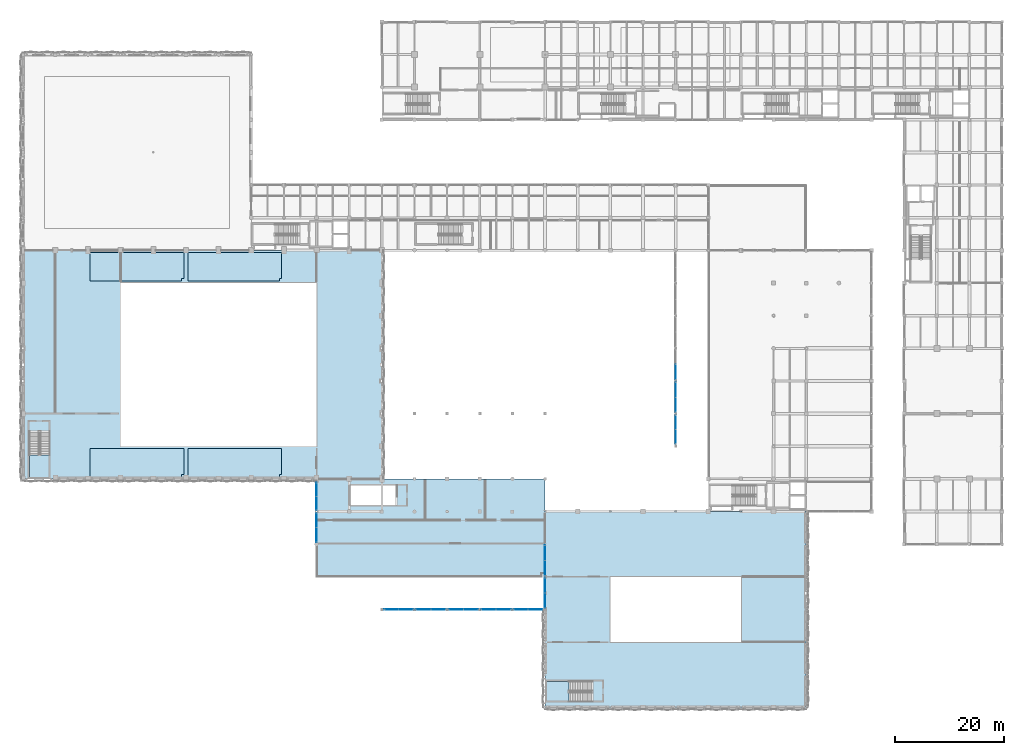
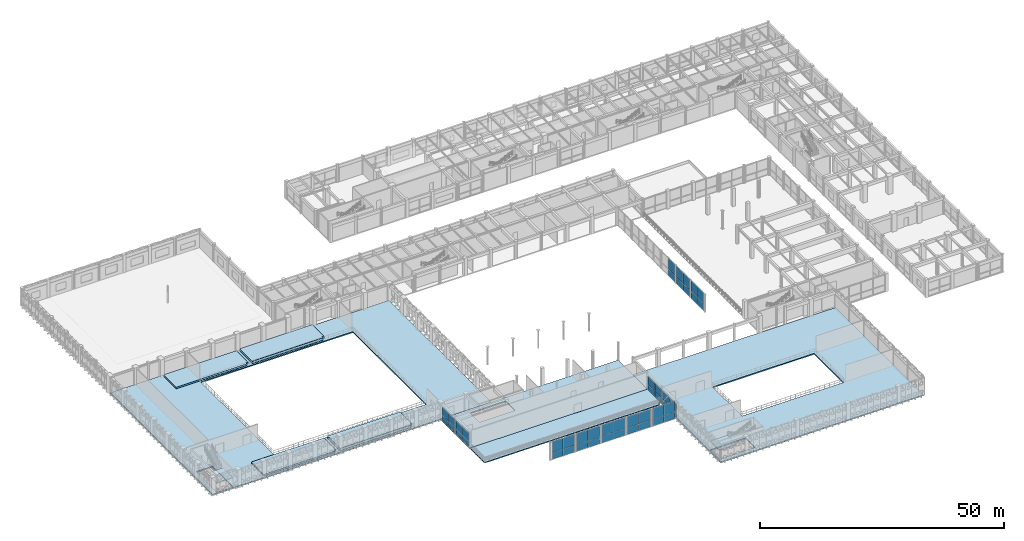
# One storey, part 77 of 116: 46 plates, 10 slabs, 14 elements without a shape of their own.
"""IFC4 building model written with IfcOpenShell, lengths in metres."""

from ifc_helpers import new_model, si_unit, direction, frame, frame_2d, origin, place, context, subcontext, project, spatial, polyline, rectangle, outline, extrude, material, layer, layer_set, type_object, element, aggregate, save


model = new_model("IFC4")

# Units and contexts
model_context = context("Model", 3, precision=1e-05, world=origin(), true_north=direction((0.0, 1.0)))
body_context = subcontext(model_context, "Body", "Model", "MODEL_VIEW")
ifc_project = project(units=[si_unit("LENGTHUNIT", "METRE"), si_unit("AREAUNIT", "SQUARE_METRE"), si_unit("VOLUMEUNIT", "CUBIC_METRE"), si_unit("PLANEANGLEUNIT", "RADIAN"), si_unit("MASSUNIT", "GRAM", prefix="KILO"), si_unit("THERMODYNAMICTEMPERATUREUNIT", "KELVIN"), si_unit("POWERUNIT", "WATT")], contexts=[model_context])

# Site, building, storey
site_placement = place(None, origin())
site = spatial("IfcSite", under=ifc_project, at=site_placement, CompositionType="ELEMENT")
building_placement = place(site_placement, origin())
building = spatial("IfcBuilding", under=site, at=building_placement, Name="Phaisarnlok Congress Hotel", CompositionType="ELEMENT")
storey_placement = place(building_placement, frame((0.0, 0.0, 10.5)))
storey = spatial("IfcBuildingStorey", under=building, at=storey_placement, Name="L02", CompositionType="ELEMENT", Elevation=10.5)

# Curtain wall, plates
ifc_material_1 = material(Name="Thermally Broken Unitised Aluminium & Low-E Glazing", Category="aluminium")
curtain_wall_type_1 = type_object("IfcCurtainWallType", Name="CW-UNIT-18", PredefinedType="NOTDEFINED", material=ifc_material_1)
curtain_wall_1_placement = place(storey_placement, origin())
curtain_wall_1 = element("IfcCurtainWall", 1, at=curtain_wall_1_placement, inside=storey, type_object=curtain_wall_type_1, Name="Unitised curtain wall CW-18 (L02)", PredefinedType="NOTDEFINED")
ifc_material_2 = material(Name="Double Low-E Insulated Glazing", Category="glass")
ifc_layer_1 = layer(ifc_material_2, 0.028076171875, Name="Double Low-E Insulated Glazing")
ifc_layer_set_1 = layer_set([ifc_layer_1], Name="Double Low-E Insulated Glazing")
plate_type_1 = type_object("IfcPlateType", Name="CWP-GLZ-28", PredefinedType="CURTAIN_PANEL", material=ifc_layer_set_1)
plate_1_placement = place(storey_placement, frame((54.0, 41.27490234375, 0.0400390625), z_axis=(0.0, 0.0, 1.0), x_axis=(0.0, -1.0, 0.0)))
plate_1 = element("IfcPlate", 2, at=plate_1_placement, type_object=plate_type_1, Name="Glazed curtain panel CWP-01", PredefinedType="CURTAIN_PANEL", context=body_context, shape_type="SweptSolid", body=[
    extrude(rectangle(XDim=2.48291015625, YDim=0.028076171875, at=frame_2d((1.241455078125, 0.0))), origin(), (0.0, 0.0, 1.0), 1.293701171875),
])
plate_2_placement = place(storey_placement, frame((54.0, 41.27490234375, 1.333740234375), z_axis=(0.0, 0.0, 1.0), x_axis=(0.0, -1.0, 0.0)))
plate_2 = element("IfcPlate", 3, at=plate_2_placement, type_object=plate_type_1, Name="Glazed curtain panel CWP-01", PredefinedType="CURTAIN_PANEL", context=body_context, shape_type="SweptSolid", body=[
    extrude(rectangle(XDim=2.48291015625, YDim=0.028076171875, at=frame_2d((1.241455078125, 0.0))), origin(), (0.0, 0.0, 1.0), 2.13623046875),
])
plate_3_placement = place(storey_placement, frame((54.0, 38.761962890625, 0.0400390625), z_axis=(0.0, 0.0, 1.0), x_axis=(0.0, -1.0, 0.0)))
plate_3 = element("IfcPlate", 4, at=plate_3_placement, type_object=plate_type_1, Name="Glazed curtain panel CWP-01", PredefinedType="CURTAIN_PANEL", context=body_context, shape_type="SweptSolid", body=[
    extrude(rectangle(XDim=2.48291015625, YDim=0.028076171875, at=frame_2d((1.241455078125, 0.0))), origin(), (0.0, 0.0, 1.0), 1.293701171875),
])
plate_4_placement = place(storey_placement, frame((54.0, 38.761962890625, 1.333740234375), z_axis=(0.0, 0.0, 1.0), x_axis=(0.0, -1.0, 0.0)))
plate_4 = element("IfcPlate", 5, at=plate_4_placement, type_object=plate_type_1, Name="Glazed curtain panel CWP-01", PredefinedType="CURTAIN_PANEL", context=body_context, shape_type="SweptSolid", body=[
    extrude(rectangle(XDim=2.48291015625, YDim=0.028076171875, at=frame_2d((1.241455078125, 0.0))), origin(), (0.0, 0.0, 1.0), 2.13623046875),
])
aggregate(curtain_wall_1, [plate_1, plate_2, plate_3, plate_4])

curtain_wall_type_2 = type_object("IfcCurtainWallType", Name="CW-UNIT-17", PredefinedType="NOTDEFINED", material=ifc_material_1)
curtain_wall_2_placement = place(storey_placement, origin())
curtain_wall_2 = element("IfcCurtainWall", 6, at=curtain_wall_2_placement, inside=storey, type_object=curtain_wall_type_2, Name="Unitised curtain wall CW-17 (L02)", PredefinedType="NOTDEFINED")
plate_5_placement = place(storey_placement, frame((54.0, 35.720947265625, 0.0400390625), z_axis=(0.0, 0.0, 1.0), x_axis=(0.0, -1.0, 0.0)))
plate_5 = element("IfcPlate", 7, at=plate_5_placement, type_object=plate_type_1, Name="Glazed curtain panel CWP-01", PredefinedType="CURTAIN_PANEL", context=body_context, shape_type="SweptSolid", body=[
    extrude(rectangle(XDim=2.657958984375, YDim=0.028076171875, at=frame_2d((1.3291015625, 0.0))), origin(), (0.0, 0.0, 1.0), 1.293701171875),
])
plate_6_placement = place(storey_placement, frame((54.0, 35.720947265625, 1.333740234375), z_axis=(0.0, 0.0, 1.0), x_axis=(0.0, -1.0, 0.0)))
plate_6 = element("IfcPlate", 8, at=plate_6_placement, type_object=plate_type_1, Name="Glazed curtain panel CWP-01", PredefinedType="CURTAIN_PANEL", context=body_context, shape_type="SweptSolid", body=[
    extrude(rectangle(XDim=2.657958984375, YDim=0.028076171875, at=frame_2d((1.3291015625, 0.0))), origin(), (0.0, 0.0, 1.0), 2.13623046875),
])
plate_7_placement = place(storey_placement, frame((54.0, 33.032958984375, 0.0400390625), z_axis=(0.0, 0.0, 1.0), x_axis=(0.0, -1.0, 0.0)))
plate_7 = element("IfcPlate", 9, at=plate_7_placement, type_object=plate_type_1, Name="Glazed curtain panel CWP-01", PredefinedType="CURTAIN_PANEL", context=body_context, shape_type="SweptSolid", body=[
    extrude(rectangle(XDim=2.657958984375, YDim=0.028076171875, at=frame_2d((1.3291015625, 0.0))), origin(), (0.0, 0.0, 1.0), 1.293701171875),
])
plate_8_placement = place(storey_placement, frame((54.0, 33.032958984375, 1.333740234375), z_axis=(0.0, 0.0, 1.0), x_axis=(0.0, -1.0, 0.0)))
plate_8 = element("IfcPlate", 10, at=plate_8_placement, type_object=plate_type_1, Name="Glazed curtain panel CWP-01", PredefinedType="CURTAIN_PANEL", context=body_context, shape_type="SweptSolid", body=[
    extrude(rectangle(XDim=2.657958984375, YDim=0.028076171875, at=frame_2d((1.3291015625, 0.0))), origin(), (0.0, 0.0, 1.0), 2.13623046875),
])
aggregate(curtain_wall_2, [plate_5, plate_6, plate_7, plate_8])

curtain_wall_type_3 = type_object("IfcCurtainWallType", Name="CW-UNIT-23", PredefinedType="NOTDEFINED", material=ifc_material_1)
curtain_wall_3_placement = place(storey_placement, origin())
curtain_wall_3 = element("IfcCurtainWall", 11, at=curtain_wall_3_placement, inside=storey, type_object=curtain_wall_type_3, Name="Unitised curtain wall CW-23 (L02)", PredefinedType="NOTDEFINED")
plate_9_placement = place(storey_placement, frame((96.0, 29.76708984375, 0.0400390625), z_axis=(0.0, 0.0, 1.0), x_axis=(0.0, -1.0, 0.0)))
plate_9 = element("IfcPlate", 12, at=plate_9_placement, type_object=plate_type_1, Name="Glazed curtain panel CWP-01", PredefinedType="CURTAIN_PANEL", context=body_context, shape_type="SweptSolid", body=[
    extrude(rectangle(XDim=2.752197265625, YDim=0.028076171875, at=frame_2d((1.3759765625, 0.0))), origin(), (0.0, 0.0, 1.0), 1.2861328125),
])
plate_10_placement = place(storey_placement, frame((96.0, 29.76708984375, 1.326171875), z_axis=(0.0, 0.0, 1.0), x_axis=(0.0, -1.0, 0.0)))
plate_10 = element("IfcPlate", 13, at=plate_10_placement, type_object=plate_type_1, Name="Glazed curtain panel CWP-01", PredefinedType="CURTAIN_PANEL", context=body_context, shape_type="SweptSolid", body=[
    extrude(rectangle(XDim=2.752197265625, YDim=0.028076171875, at=frame_2d((1.3759765625, 0.0))), origin(), (0.0, 0.0, 1.0), 2.123779296875),
])
plate_11_placement = place(storey_placement, frame((96.0, 26.985107421875, 0.0400390625), z_axis=(0.0, 0.0, 1.0), x_axis=(0.0, -1.0, 0.0)))
plate_11 = element("IfcPlate", 14, at=plate_11_placement, type_object=plate_type_1, Name="Glazed curtain panel CWP-01", PredefinedType="CURTAIN_PANEL", context=body_context, shape_type="SweptSolid", body=[
    extrude(rectangle(XDim=2.752197265625, YDim=0.028076171875, at=frame_2d((1.3759765625, 0.0))), origin(), (0.0, 0.0, 1.0), 1.2861328125),
])
plate_12_placement = place(storey_placement, frame((96.0, 26.985107421875, 1.326171875), z_axis=(0.0, 0.0, 1.0), x_axis=(0.0, -1.0, 0.0)))
plate_12 = element("IfcPlate", 15, at=plate_12_placement, type_object=plate_type_1, Name="Glazed curtain panel CWP-01", PredefinedType="CURTAIN_PANEL", context=body_context, shape_type="SweptSolid", body=[
    extrude(rectangle(XDim=2.752197265625, YDim=0.028076171875, at=frame_2d((1.3759765625, 0.0))), origin(), (0.0, 0.0, 1.0), 2.123779296875),
])
aggregate(curtain_wall_3, [plate_9, plate_10, plate_11, plate_12])

curtain_wall_4_placement = place(storey_placement, origin())
curtain_wall_4 = element("IfcCurtainWall", 16, at=curtain_wall_4_placement, inside=storey, type_object=curtain_wall_type_3, Name="Unitised curtain wall CW-23 (L02)", PredefinedType="NOTDEFINED")
plate_13_placement = place(storey_placement, frame((96.0, 23.76708984375, 0.0400390625), z_axis=(0.0, 0.0, 1.0), x_axis=(0.0, -1.0, 0.0)))
plate_13 = element("IfcPlate", 17, at=plate_13_placement, type_object=plate_type_1, Name="Glazed curtain panel CWP-01", PredefinedType="CURTAIN_PANEL", context=body_context, shape_type="SweptSolid", body=[
    extrude(rectangle(XDim=2.752197265625, YDim=0.028076171875, at=frame_2d((1.3759765625, 0.0))), origin(), (0.0, 0.0, 1.0), 1.2861328125),
])
plate_14_placement = place(storey_placement, frame((96.0, 23.76708984375, 1.326171875), z_axis=(0.0, 0.0, 1.0), x_axis=(0.0, -1.0, 0.0)))
plate_14 = element("IfcPlate", 18, at=plate_14_placement, type_object=plate_type_1, Name="Glazed curtain panel CWP-01", PredefinedType="CURTAIN_PANEL", context=body_context, shape_type="SweptSolid", body=[
    extrude(rectangle(XDim=2.752197265625, YDim=0.028076171875, at=frame_2d((1.3759765625, 0.0))), origin(), (0.0, 0.0, 1.0), 2.123779296875),
])
plate_15_placement = place(storey_placement, frame((96.0, 20.985107421875, 0.0400390625), z_axis=(0.0, 0.0, 1.0), x_axis=(0.0, -1.0, 0.0)))
plate_15 = element("IfcPlate", 19, at=plate_15_placement, type_object=plate_type_1, Name="Glazed curtain panel CWP-01", PredefinedType="CURTAIN_PANEL", context=body_context, shape_type="SweptSolid", body=[
    extrude(rectangle(XDim=2.752197265625, YDim=0.028076171875, at=frame_2d((1.3759765625, 0.0))), origin(), (0.0, 0.0, 1.0), 1.2861328125),
])
plate_16_placement = place(storey_placement, frame((96.0, 20.985107421875, 1.326171875), z_axis=(0.0, 0.0, 1.0), x_axis=(0.0, -1.0, 0.0)))
plate_16 = element("IfcPlate", 20, at=plate_16_placement, type_object=plate_type_1, Name="Glazed curtain panel CWP-01", PredefinedType="CURTAIN_PANEL", context=body_context, shape_type="SweptSolid", body=[
    extrude(rectangle(XDim=2.752197265625, YDim=0.028076171875, at=frame_2d((1.3759765625, 0.0))), origin(), (0.0, 0.0, 1.0), 2.123779296875),
])
aggregate(curtain_wall_4, [plate_13, plate_14, plate_15, plate_16])

curtain_wall_type_4 = type_object("IfcCurtainWallType", Name="CW-UNIT-41", PredefinedType="NOTDEFINED", material=ifc_material_1)
curtain_wall_5_placement = place(storey_placement, origin())
curtain_wall_5 = element("IfcCurtainWall", 21, at=curtain_wall_5_placement, inside=storey, type_object=curtain_wall_type_4, Name="Unitised curtain wall CW-41 (L02)", PredefinedType="NOTDEFINED")
ifc_material_3 = material(Name="Triple Acoustic Solar-Control Glazing", Category="glass")
ifc_layer_2 = layer(ifc_material_3, 0.035888671875, Name="Triple Acoustic Solar-Control Glazing")
ifc_layer_set_2 = layer_set([ifc_layer_2], Name="Triple Acoustic Solar-Control Glazing")
plate_type_2 = type_object("IfcPlateType", Name="CWP-GLZ-36", PredefinedType="CURTAIN_PANEL", material=ifc_layer_set_2)
plate_17_placement = place(storey_placement, frame((66.47998046875, 18.0, 0.030029296875), z_axis=(0.0, 0.0, 1.0), x_axis=(1.0, 0.0, 0.0)))
plate_17 = element("IfcPlate", 22, at=plate_17_placement, type_object=plate_type_2, Name="Glazed curtain panel CWP-02", PredefinedType="CURTAIN_PANEL", context=body_context, shape_type="SweptSolid", body=[
    extrude(rectangle(XDim=2.614990234375, YDim=0.028076171875, at=frame_2d((1.3076171875, 0.0))), origin(), (0.0, 0.0, 1.0), 1.677490234375),
])
plate_18_placement = place(storey_placement, frame((66.47998046875, 18.0, 1.70751953125), z_axis=(0.0, 0.0, 1.0), x_axis=(1.0, 0.0, 0.0)))
plate_18 = element("IfcPlate", 23, at=plate_18_placement, type_object=plate_type_2, Name="Glazed curtain panel CWP-02", PredefinedType="CURTAIN_PANEL", context=body_context, shape_type="SweptSolid", body=[
    extrude(rectangle(XDim=2.614990234375, YDim=0.028076171875, at=frame_2d((1.3076171875, 0.0))), origin(), (0.0, 0.0, 1.0), 2.762451171875),
])
plate_19_placement = place(storey_placement, frame((69.125, 18.0, 0.030029296875), z_axis=(0.0, 0.0, 1.0), x_axis=(1.0, 0.0, 0.0)))
plate_19 = element("IfcPlate", 24, at=plate_19_placement, type_object=plate_type_2, Name="Glazed curtain panel CWP-02", PredefinedType="CURTAIN_PANEL", context=body_context, shape_type="SweptSolid", body=[
    extrude(rectangle(XDim=2.614990234375, YDim=0.028076171875, at=frame_2d((1.3076171875, 0.0))), origin(), (0.0, 0.0, 1.0), 1.677490234375),
])
plate_20_placement = place(storey_placement, frame((69.125, 18.0, 1.70751953125), z_axis=(0.0, 0.0, 1.0), x_axis=(1.0, 0.0, 0.0)))
plate_20 = element("IfcPlate", 25, at=plate_20_placement, type_object=plate_type_2, Name="Glazed curtain panel CWP-02", PredefinedType="CURTAIN_PANEL", context=body_context, shape_type="SweptSolid", body=[
    extrude(rectangle(XDim=2.614990234375, YDim=0.028076171875, at=frame_2d((1.3076171875, 0.0))), origin(), (0.0, 0.0, 1.0), 2.762451171875),
])
aggregate(curtain_wall_5, [plate_17, plate_18, plate_19, plate_20])

curtain_wall_type_5 = type_object("IfcCurtainWallType", Name="CW-UNIT-44", PredefinedType="NOTDEFINED", material=ifc_material_1)
curtain_wall_6_placement = place(storey_placement, origin())
curtain_wall_6 = element("IfcCurtainWall", 26, at=curtain_wall_6_placement, inside=storey, type_object=curtain_wall_type_5, Name="Unitised curtain wall CW-44 (L02)", PredefinedType="NOTDEFINED")
plate_21_placement = place(storey_placement, frame((72.260009765625, 18.0, 0.030029296875), z_axis=(0.0, 0.0, 1.0), x_axis=(1.0, 0.0, 0.0)))
plate_21 = element("IfcPlate", 27, at=plate_21_placement, type_object=plate_type_2, Name="Glazed curtain panel CWP-02", PredefinedType="CURTAIN_PANEL", context=body_context, shape_type="SweptSolid", body=[
    extrude(rectangle(XDim=2.72509765625, YDim=0.028076171875, at=frame_2d((1.362548828125, 0.0))), origin(), (0.0, 0.0, 1.0), 1.677490234375),
])
plate_22_placement = place(storey_placement, frame((72.260009765625, 18.0, 1.70751953125), z_axis=(0.0, 0.0, 1.0), x_axis=(1.0, 0.0, 0.0)))
plate_22 = element("IfcPlate", 28, at=plate_22_placement, type_object=plate_type_2, Name="Glazed curtain panel CWP-02", PredefinedType="CURTAIN_PANEL", context=body_context, shape_type="SweptSolid", body=[
    extrude(rectangle(XDim=2.72509765625, YDim=0.028076171875, at=frame_2d((1.362548828125, 0.0))), origin(), (0.0, 0.0, 1.0), 2.762451171875),
])
plate_23_placement = place(storey_placement, frame((75.014892578125, 18.0, 0.030029296875), z_axis=(0.0, 0.0, 1.0), x_axis=(1.0, 0.0, 0.0)))
plate_23 = element("IfcPlate", 29, at=plate_23_placement, type_object=plate_type_2, Name="Glazed curtain panel CWP-02", PredefinedType="CURTAIN_PANEL", context=body_context, shape_type="SweptSolid", body=[
    extrude(rectangle(XDim=2.72509765625, YDim=0.028076171875, at=frame_2d((1.362548828125, 0.0))), origin(), (0.0, 0.0, 1.0), 1.677490234375),
])
plate_24_placement = place(storey_placement, frame((75.014892578125, 18.0, 1.70751953125), z_axis=(0.0, 0.0, 1.0), x_axis=(1.0, 0.0, 0.0)))
plate_24 = element("IfcPlate", 30, at=plate_24_placement, type_object=plate_type_2, Name="Glazed curtain panel CWP-02", PredefinedType="CURTAIN_PANEL", context=body_context, shape_type="SweptSolid", body=[
    extrude(rectangle(XDim=2.72509765625, YDim=0.028076171875, at=frame_2d((1.362548828125, 0.0))), origin(), (0.0, 0.0, 1.0), 2.762451171875),
])
aggregate(curtain_wall_6, [plate_21, plate_22, plate_23, plate_24])

curtain_wall_7_placement = place(storey_placement, origin())
curtain_wall_7 = element("IfcCurtainWall", 31, at=curtain_wall_7_placement, inside=storey, type_object=curtain_wall_type_5, Name="Unitised curtain wall CW-44 (L02)", PredefinedType="NOTDEFINED")
plate_25_placement = place(storey_placement, frame((78.260009765625, 18.0, 0.030029296875), z_axis=(0.0, 0.0, 1.0), x_axis=(1.0, 0.0, 0.0)))
plate_25 = element("IfcPlate", 32, at=plate_25_placement, type_object=plate_type_2, Name="Glazed curtain panel CWP-02", PredefinedType="CURTAIN_PANEL", context=body_context, shape_type="SweptSolid", body=[
    extrude(rectangle(XDim=2.72509765625, YDim=0.028076171875, at=frame_2d((1.362548828125, 0.0))), origin(), (0.0, 0.0, 1.0), 1.677490234375),
])
plate_26_placement = place(storey_placement, frame((78.260009765625, 18.0, 1.70751953125), z_axis=(0.0, 0.0, 1.0), x_axis=(1.0, 0.0, 0.0)))
plate_26 = element("IfcPlate", 33, at=plate_26_placement, type_object=plate_type_2, Name="Glazed curtain panel CWP-02", PredefinedType="CURTAIN_PANEL", context=body_context, shape_type="SweptSolid", body=[
    extrude(rectangle(XDim=2.72509765625, YDim=0.028076171875, at=frame_2d((1.362548828125, 0.0))), origin(), (0.0, 0.0, 1.0), 2.762451171875),
])
plate_27_placement = place(storey_placement, frame((81.014892578125, 18.0, 0.030029296875), z_axis=(0.0, 0.0, 1.0), x_axis=(1.0, 0.0, 0.0)))
plate_27 = element("IfcPlate", 34, at=plate_27_placement, type_object=plate_type_2, Name="Glazed curtain panel CWP-02", PredefinedType="CURTAIN_PANEL", context=body_context, shape_type="SweptSolid", body=[
    extrude(rectangle(XDim=2.72509765625, YDim=0.028076171875, at=frame_2d((1.362548828125, 0.0))), origin(), (0.0, 0.0, 1.0), 1.677490234375),
])
plate_28_placement = place(storey_placement, frame((81.014892578125, 18.0, 1.70751953125), z_axis=(0.0, 0.0, 1.0), x_axis=(1.0, 0.0, 0.0)))
plate_28 = element("IfcPlate", 35, at=plate_28_placement, type_object=plate_type_2, Name="Glazed curtain panel CWP-02", PredefinedType="CURTAIN_PANEL", context=body_context, shape_type="SweptSolid", body=[
    extrude(rectangle(XDim=2.72509765625, YDim=0.028076171875, at=frame_2d((1.362548828125, 0.0))), origin(), (0.0, 0.0, 1.0), 2.762451171875),
])
aggregate(curtain_wall_7, [plate_25, plate_26, plate_27, plate_28])

curtain_wall_8_placement = place(storey_placement, origin())
curtain_wall_8 = element("IfcCurtainWall", 36, at=curtain_wall_8_placement, inside=storey, type_object=curtain_wall_type_5, Name="Unitised curtain wall CW-44 (L02)", PredefinedType="NOTDEFINED")
plate_29_placement = place(storey_placement, frame((84.260009765625, 18.0, 0.030029296875), z_axis=(0.0, 0.0, 1.0), x_axis=(1.0, 0.0, 0.0)))
plate_29 = element("IfcPlate", 37, at=plate_29_placement, type_object=plate_type_2, Name="Glazed curtain panel CWP-02", PredefinedType="CURTAIN_PANEL", context=body_context, shape_type="SweptSolid", body=[
    extrude(rectangle(XDim=2.72509765625, YDim=0.028076171875, at=frame_2d((1.362548828125, 0.0))), origin(), (0.0, 0.0, 1.0), 1.677490234375),
])
plate_30_placement = place(storey_placement, frame((84.260009765625, 18.0, 1.70751953125), z_axis=(0.0, 0.0, 1.0), x_axis=(1.0, 0.0, 0.0)))
plate_30 = element("IfcPlate", 38, at=plate_30_placement, type_object=plate_type_2, Name="Glazed curtain panel CWP-02", PredefinedType="CURTAIN_PANEL", context=body_context, shape_type="SweptSolid", body=[
    extrude(rectangle(XDim=2.72509765625, YDim=0.028076171875, at=frame_2d((1.362548828125, 0.0))), origin(), (0.0, 0.0, 1.0), 2.762451171875),
])
plate_31_placement = place(storey_placement, frame((87.014892578125, 18.0, 0.030029296875), z_axis=(0.0, 0.0, 1.0), x_axis=(1.0, 0.0, 0.0)))
plate_31 = element("IfcPlate", 39, at=plate_31_placement, type_object=plate_type_2, Name="Glazed curtain panel CWP-02", PredefinedType="CURTAIN_PANEL", context=body_context, shape_type="SweptSolid", body=[
    extrude(rectangle(XDim=2.72509765625, YDim=0.028076171875, at=frame_2d((1.362548828125, 0.0))), origin(), (0.0, 0.0, 1.0), 1.677490234375),
])
plate_32_placement = place(storey_placement, frame((87.014892578125, 18.0, 1.70751953125), z_axis=(0.0, 0.0, 1.0), x_axis=(1.0, 0.0, 0.0)))
plate_32 = element("IfcPlate", 40, at=plate_32_placement, type_object=plate_type_2, Name="Glazed curtain panel CWP-02", PredefinedType="CURTAIN_PANEL", context=body_context, shape_type="SweptSolid", body=[
    extrude(rectangle(XDim=2.72509765625, YDim=0.028076171875, at=frame_2d((1.362548828125, 0.0))), origin(), (0.0, 0.0, 1.0), 2.762451171875),
])
aggregate(curtain_wall_8, [plate_29, plate_30, plate_31, plate_32])

curtain_wall_9_placement = place(storey_placement, origin())
curtain_wall_9 = element("IfcCurtainWall", 41, at=curtain_wall_9_placement, inside=storey, type_object=curtain_wall_type_4, Name="Unitised curtain wall CW-41 (L02)", PredefinedType="NOTDEFINED")
plate_33_placement = place(storey_placement, frame((90.260009765625, 18.0, 0.030029296875), z_axis=(0.0, 0.0, 1.0), x_axis=(1.0, 0.0, 0.0)))
plate_33 = element("IfcPlate", 42, at=plate_33_placement, type_object=plate_type_2, Name="Glazed curtain panel CWP-02", PredefinedType="CURTAIN_PANEL", context=body_context, shape_type="SweptSolid", body=[
    extrude(rectangle(XDim=2.60498046875, YDim=0.028076171875, at=frame_2d((1.302490234375, 0.0))), origin(), (0.0, 0.0, 1.0), 1.677490234375),
])
plate_34_placement = place(storey_placement, frame((90.260009765625, 18.0, 1.70751953125), z_axis=(0.0, 0.0, 1.0), x_axis=(1.0, 0.0, 0.0)))
plate_34 = element("IfcPlate", 43, at=plate_34_placement, type_object=plate_type_2, Name="Glazed curtain panel CWP-02", PredefinedType="CURTAIN_PANEL", context=body_context, shape_type="SweptSolid", body=[
    extrude(rectangle(XDim=2.60498046875, YDim=0.028076171875, at=frame_2d((1.302490234375, 0.0))), origin(), (0.0, 0.0, 1.0), 2.762451171875),
])
plate_35_placement = place(storey_placement, frame((92.89501953125, 18.0, 0.030029296875), z_axis=(0.0, 0.0, 1.0), x_axis=(1.0, 0.0, 0.0)))
plate_35 = element("IfcPlate", 44, at=plate_35_placement, type_object=plate_type_2, Name="Glazed curtain panel CWP-02", PredefinedType="CURTAIN_PANEL", context=body_context, shape_type="SweptSolid", body=[
    extrude(rectangle(XDim=2.60498046875, YDim=0.028076171875, at=frame_2d((1.302490234375, 0.0))), origin(), (0.0, 0.0, 1.0), 1.677490234375),
])
plate_36_placement = place(storey_placement, frame((92.89501953125, 18.0, 1.70751953125), z_axis=(0.0, 0.0, 1.0), x_axis=(1.0, 0.0, 0.0)))
plate_36 = element("IfcPlate", 45, at=plate_36_placement, type_object=plate_type_2, Name="Glazed curtain panel CWP-02", PredefinedType="CURTAIN_PANEL", context=body_context, shape_type="SweptSolid", body=[
    extrude(rectangle(XDim=2.60498046875, YDim=0.028076171875, at=frame_2d((1.302490234375, 0.0))), origin(), (0.0, 0.0, 1.0), 2.762451171875),
])
aggregate(curtain_wall_9, [plate_33, plate_34, plate_35, plate_36])

curtain_wall_10_placement = place(storey_placement, origin())
curtain_wall_10 = element("IfcCurtainWall", 46, at=curtain_wall_10_placement, inside=storey, type_object=curtain_wall_type_4, Name="Unitised curtain wall CW-41 (L02)", PredefinedType="NOTDEFINED")
plate_37_placement = place(storey_placement, frame((120.0, 53.739990234375, 0.030029296875), z_axis=(0.0, 0.0, 1.0), x_axis=(0.0, -1.0, 0.0)))
plate_37 = element("IfcPlate", 47, at=plate_37_placement, type_object=plate_type_2, Name="Glazed curtain panel CWP-02", PredefinedType="CURTAIN_PANEL", context=body_context, shape_type="SweptSolid", body=[
    extrude(rectangle(XDim=2.614990234375, YDim=0.028076171875, at=frame_2d((1.3076171875, 0.0))), origin(), (0.0, 0.0, 1.0), 1.677490234375),
])
plate_38_placement = place(storey_placement, frame((120.0, 53.739990234375, 1.70751953125), z_axis=(0.0, 0.0, 1.0), x_axis=(0.0, -1.0, 0.0)))
plate_38 = element("IfcPlate", 48, at=plate_38_placement, type_object=plate_type_2, Name="Glazed curtain panel CWP-02", PredefinedType="CURTAIN_PANEL", context=body_context, shape_type="SweptSolid", body=[
    extrude(rectangle(XDim=2.614990234375, YDim=0.028076171875, at=frame_2d((1.3076171875, 0.0))), origin(), (0.0, 0.0, 1.0), 2.762451171875),
])
plate_39_placement = place(storey_placement, frame((120.0, 51.094970703125, 0.030029296875), z_axis=(0.0, 0.0, 1.0), x_axis=(0.0, -1.0, 0.0)))
plate_39 = element("IfcPlate", 49, at=plate_39_placement, type_object=plate_type_2, Name="Glazed curtain panel CWP-02", PredefinedType="CURTAIN_PANEL", context=body_context, shape_type="SweptSolid", body=[
    extrude(rectangle(XDim=2.614990234375, YDim=0.028076171875, at=frame_2d((1.3076171875, 0.0))), origin(), (0.0, 0.0, 1.0), 1.677490234375),
])
plate_40_placement = place(storey_placement, frame((120.0, 51.094970703125, 1.70751953125), z_axis=(0.0, 0.0, 1.0), x_axis=(0.0, -1.0, 0.0)))
plate_40 = element("IfcPlate", 50, at=plate_40_placement, type_object=plate_type_2, Name="Glazed curtain panel CWP-02", PredefinedType="CURTAIN_PANEL", context=body_context, shape_type="SweptSolid", body=[
    extrude(rectangle(XDim=2.614990234375, YDim=0.028076171875, at=frame_2d((1.3076171875, 0.0))), origin(), (0.0, 0.0, 1.0), 2.762451171875),
])
aggregate(curtain_wall_10, [plate_37, plate_38, plate_39, plate_40])

curtain_wall_11_placement = place(storey_placement, origin())
curtain_wall_11 = element("IfcCurtainWall", 51, at=curtain_wall_11_placement, inside=storey, type_object=curtain_wall_type_5, Name="Unitised curtain wall CW-44 (L02)", PredefinedType="NOTDEFINED")
plate_41_placement = place(storey_placement, frame((120.0, 59.739990234375, 0.030029296875), z_axis=(0.0, 0.0, 1.0), x_axis=(0.0, -1.0, 0.0)))
plate_41 = element("IfcPlate", 52, at=plate_41_placement, type_object=plate_type_2, Name="Glazed curtain panel CWP-02", PredefinedType="CURTAIN_PANEL", context=body_context, shape_type="SweptSolid", body=[
    extrude(rectangle(XDim=2.72509765625, YDim=0.028076171875, at=frame_2d((1.362548828125, 0.0))), origin(), (0.0, 0.0, 1.0), 1.677490234375),
])
plate_42_placement = place(storey_placement, frame((120.0, 59.739990234375, 1.70751953125), z_axis=(0.0, 0.0, 1.0), x_axis=(0.0, -1.0, 0.0)))
plate_42 = element("IfcPlate", 53, at=plate_42_placement, type_object=plate_type_2, Name="Glazed curtain panel CWP-02", PredefinedType="CURTAIN_PANEL", context=body_context, shape_type="SweptSolid", body=[
    extrude(rectangle(XDim=2.72509765625, YDim=0.028076171875, at=frame_2d((1.362548828125, 0.0))), origin(), (0.0, 0.0, 1.0), 2.762451171875),
])
plate_43_placement = place(storey_placement, frame((120.0, 56.985107421875, 0.030029296875), z_axis=(0.0, 0.0, 1.0), x_axis=(0.0, -1.0, 0.0)))
plate_43 = element("IfcPlate", 54, at=plate_43_placement, type_object=plate_type_2, Name="Glazed curtain panel CWP-02", PredefinedType="CURTAIN_PANEL", context=body_context, shape_type="SweptSolid", body=[
    extrude(rectangle(XDim=2.72509765625, YDim=0.028076171875, at=frame_2d((1.362548828125, 0.0))), origin(), (0.0, 0.0, 1.0), 1.677490234375),
])
plate_44_placement = place(storey_placement, frame((120.0, 56.985107421875, 1.70751953125), z_axis=(0.0, 0.0, 1.0), x_axis=(0.0, -1.0, 0.0)))
plate_44 = element("IfcPlate", 55, at=plate_44_placement, type_object=plate_type_2, Name="Glazed curtain panel CWP-02", PredefinedType="CURTAIN_PANEL", context=body_context, shape_type="SweptSolid", body=[
    extrude(rectangle(XDim=2.72509765625, YDim=0.028076171875, at=frame_2d((1.362548828125, 0.0))), origin(), (0.0, 0.0, 1.0), 2.762451171875),
])
aggregate(curtain_wall_11, [plate_41, plate_42, plate_43, plate_44])

curtain_wall_12_placement = place(storey_placement, origin())
curtain_wall_12 = element("IfcCurtainWall", 56, at=curtain_wall_12_placement, inside=storey, type_object=curtain_wall_type_5, Name="Unitised curtain wall CW-44 (L02)", PredefinedType="NOTDEFINED")
plate_45_placement = place(storey_placement, frame((120.0, 62.985107421875, 0.030029296875), z_axis=(0.0, 0.0, 1.0), x_axis=(0.0, -1.0, 0.0)))
plate_45 = element("IfcPlate", 57, at=plate_45_placement, type_object=plate_type_2, Name="Glazed curtain panel CWP-02", PredefinedType="CURTAIN_PANEL", context=body_context, shape_type="SweptSolid", body=[
    extrude(rectangle(XDim=2.72509765625, YDim=0.028076171875, at=frame_2d((1.362548828125, 0.0))), origin(), (0.0, 0.0, 1.0), 1.677490234375),
])
plate_46_placement = place(storey_placement, frame((120.0, 62.985107421875, 1.70751953125), z_axis=(0.0, 0.0, 1.0), x_axis=(0.0, -1.0, 0.0)))
plate_46 = element("IfcPlate", 58, at=plate_46_placement, type_object=plate_type_2, Name="Glazed curtain panel CWP-02", PredefinedType="CURTAIN_PANEL", context=body_context, shape_type="SweptSolid", body=[
    extrude(rectangle(XDim=2.72509765625, YDim=0.028076171875, at=frame_2d((1.362548828125, 0.0))), origin(), (0.0, 0.0, 1.0), 2.762451171875),
])
aggregate(curtain_wall_12, [plate_45, plate_46])

# Slabs
ifc_material_4 = material(Name="Concrete C40/50", Category="concrete")
ifc_layer_3 = layer(ifc_material_4, 0.280029296875, Name="Concrete C40/50")
ifc_layer_set_3 = layer_set([ifc_layer_3], Name="Concrete C40/50")
slab_type_1 = type_object("IfcSlabType", Name="SLB-INT-280", PredefinedType="FLOOR", material=ifc_layer_set_3)
slab_1_placement = place(storey_placement, frame((0.0, 0.0, -0.280029296875)))
element("IfcSlab", 59, at=slab_1_placement, inside=storey, type_object=slab_type_1, Name="Floor slab SL-INT-280 (L02 v1)", PredefinedType="FLOOR", context=body_context, shape_type="SweptSolid", body=[
    extrude(outline(polyline([(66.0, 42.0), (66.0, 84.0), (0.0, 84.0), (0.0, 42.0), (66.0, 42.0)]), holes=[polyline([(18.0, 48.0), (54.0, 48.0), (54.0, 78.0), (18.0, 78.0), (18.0, 48.0)]), polyline([(1.199951171875, 50.719970703125), (1.199951171875, 42.300048828125), (5.0, 42.300048828125), (5.0, 50.719970703125), (1.199951171875, 50.719970703125)])]), origin(), (0.0, 0.0, 1.0), 0.280029296875),
])
slab_2_placement = place(storey_placement, frame((0.0, 0.0, -0.280029296875)))
element("IfcSlab", 60, at=slab_2_placement, inside=storey, type_object=slab_type_1, Name="Floor slab SL-INT-280 (L02 v2)", PredefinedType="FLOOR", context=body_context, shape_type="SweptSolid", body=[
    extrude(outline(polyline([(144.0, 0.0), (144.0, 36.0), (96.0, 36.0), (96.0, 0.0), (144.0, 0.0)]), holes=[polyline([(108.0, 12.0), (132.0, 12.0), (132.0, 24.0), (108.0, 24.0), (108.0, 12.0)]), polyline([(104.719970703125, 4.800048828125), (96.300048828125, 4.800048828125), (96.300048828125, 1.0), (104.719970703125, 1.0), (104.719970703125, 4.800048828125)])]), origin(), (0.0, 0.0, 1.0), 0.280029296875),
])
slab_3_placement = place(storey_placement, frame((0.0, 0.0, -0.280029296875)))
element("IfcSlab", 61, at=slab_3_placement, inside=storey, type_object=slab_type_1, Name="Floor slab SL-INT-280 (L02 v4_s)", PredefinedType="FLOOR", context=body_context, shape_type="SweptSolid", body=[
    extrude(outline(polyline([(96.0, 30.0), (96.0, 42.0), (54.0, 42.0), (54.0, 30.0), (96.0, 30.0)]), holes=[polyline([(68.719970703125, 40.800048828125), (60.300048828125, 40.800048828125), (60.300048828125, 37.0), (68.719970703125, 37.0), (68.719970703125, 40.800048828125)])]), origin(), (0.0, 0.0, 1.0), 0.280029296875),
])

# Stair, slab
stair_type = type_object("IfcStairType", Name="STR-DOG-03", PredefinedType="HALF_TURN_STAIR", material=ifc_material_4)
stair_1_placement = place(storey_placement, origin())
stair_1 = element("IfcStair", 62, at=stair_1_placement, inside=storey, type_object=stair_type, Name="L02 ST-03", PredefinedType="HALF_TURN_STAIR")
ifc_layer_4 = layer(ifc_material_4, 0.199951171875, Name="Concrete C40/50")
ifc_layer_set_4 = layer_set([ifc_layer_4], Name="Concrete C40/50")
slab_type_2 = type_object("IfcSlabType", Name="SLB-LND-200", PredefinedType="LANDING", material=ifc_layer_set_4)
slab_4_placement = place(storey_placement, frame((0.0, 0.0, 2.050048828125)))
slab_4 = element("IfcSlab", 63, at=slab_4_placement, type_object=slab_type_2, Name="ST-03 landing 1", PredefinedType="LANDING", context=body_context, shape_type="SweptSolid", body=[
    extrude(outline(polyline([(1.199951171875, 46.3798828125), (1.199951171875, 42.300048828125), (5.0, 42.300048828125), (5.0, 46.3798828125), (1.199951171875, 46.3798828125)])), origin(), (0.0, 0.0, 1.0), 0.199951171875),
])
aggregate(stair_1, [slab_4])

stair_2_placement = place(storey_placement, origin())
stair_2 = element("IfcStair", 64, at=stair_2_placement, inside=storey, type_object=stair_type, Name="L02 ST-04", PredefinedType="HALF_TURN_STAIR")
slab_5_placement = place(storey_placement, frame((0.0, 0.0, 2.050048828125)))
slab_5 = element("IfcSlab", 65, at=slab_5_placement, type_object=slab_type_2, Name="ST-04 landing 1", PredefinedType="LANDING", context=body_context, shape_type="SweptSolid", body=[
    extrude(outline(polyline([(100.3798828125, 4.800048828125), (96.300048828125, 4.800048828125), (96.300048828125, 1.0), (100.3798828125, 1.0), (100.3798828125, 4.800048828125)])), origin(), (0.0, 0.0, 1.0), 0.199951171875),
])
aggregate(stair_2, [slab_5])

# Slabs
ifc_layer_5 = layer(ifc_material_4, 0.199951171875, Name="Concrete C40/50")
ifc_layer_set_5 = layer_set([ifc_layer_5], Name="Concrete C40/50")
slab_type_3 = type_object("IfcSlabType", Name="SLB-TER-200", PredefinedType="FLOOR", material=ifc_layer_set_5)
slab_6_placement = place(storey_placement, frame((0.0, 0.0, -0.199951171875)))
element("IfcSlab", 66, at=slab_6_placement, inside=storey, type_object=slab_type_3, Name="Outdoor terrace slab SL-TER-200 (L02 foyer_terrace_s)", PredefinedType="FLOOR", context=body_context, shape_type="SweptSolid", body=[
    extrude(outline(polyline([(54.0, 24.0), (95.39990234375, 24.0), (95.39990234375, 24.60009765625), (96.0, 24.60009765625), (96.0, 30.0), (54.0, 30.0), (54.0, 24.0)])), origin(), (0.0, 0.0, 1.0), 0.199951171875),
])
ifc_layer_6 = layer(ifc_material_4, 0.18994140625, Name="Concrete C40/50")
ifc_layer_set_6 = layer_set([ifc_layer_6], Name="Concrete C40/50")
slab_type_4 = type_object("IfcSlabType", Name="SLB-TIER-190", PredefinedType="USERDEFINED", material=ifc_layer_set_6)
slab_7_placement = place(storey_placement, origin())
element("IfcSlab", 67, at=slab_7_placement, inside=storey, type_object=slab_type_4, Name="Stand Balcony Tier Bay 1 (Congress Hall Balcony)", ObjectType="SEATING TIER", PredefinedType="USERDEFINED", context=body_context, shape_type="SweptSolid", body=[
    extrude(outline(polyline([(12.39990234375, 42.39990234375), (29.14990234375, 42.39990234375), (29.14990234375, 42.85009765625), (29.60009765625, 42.85009765625), (29.60009765625, 47.60009765625), (12.39990234375, 47.60009765625), (12.39990234375, 42.39990234375)])), origin(), (0.0, 0.0, 1.0), 0.3798828125),
])
slab_8_placement = place(storey_placement, origin())
element("IfcSlab", 68, at=slab_8_placement, inside=storey, type_object=slab_type_4, Name="Stand Balcony Tier Bay 2 (Congress Hall Balcony)", ObjectType="SEATING TIER", PredefinedType="USERDEFINED", context=body_context, shape_type="SweptSolid", body=[
    extrude(outline(polyline([(30.39990234375, 42.39990234375), (47.14990234375, 42.39990234375), (47.14990234375, 42.85009765625), (47.60009765625, 42.85009765625), (47.60009765625, 47.60009765625), (30.39990234375, 47.60009765625), (30.39990234375, 42.39990234375)])), origin(), (0.0, 0.0, 1.0), 0.60009765625),
])
slab_9_placement = place(storey_placement, origin())
element("IfcSlab", 69, at=slab_9_placement, inside=storey, type_object=slab_type_4, Name="Stand Balcony Tier Bay 3 (Congress Hall Balcony)", ObjectType="SEATING TIER", PredefinedType="USERDEFINED", context=body_context, shape_type="SweptSolid", body=[
    extrude(outline(polyline([(12.39990234375, 78.39990234375), (29.14990234375, 78.39990234375), (29.14990234375, 78.85009765625), (29.60009765625, 78.85009765625), (29.60009765625, 83.60009765625), (12.39990234375, 83.60009765625), (12.39990234375, 78.39990234375)])), origin(), (0.0, 0.0, 1.0), 0.3798828125),
])
slab_10_placement = place(storey_placement, origin())
element("IfcSlab", 70, at=slab_10_placement, inside=storey, type_object=slab_type_4, Name="Stand Balcony Tier Bay 4 (Congress Hall Balcony)", ObjectType="SEATING TIER", PredefinedType="USERDEFINED", context=body_context, shape_type="SweptSolid", body=[
    extrude(outline(polyline([(30.39990234375, 78.39990234375), (47.14990234375, 78.39990234375), (47.14990234375, 78.85009765625), (47.60009765625, 78.85009765625), (47.60009765625, 83.60009765625), (30.39990234375, 83.60009765625), (30.39990234375, 78.39990234375)])), origin(), (0.0, 0.0, 1.0), 0.60009765625),
])

save(model, "model.ifc")
